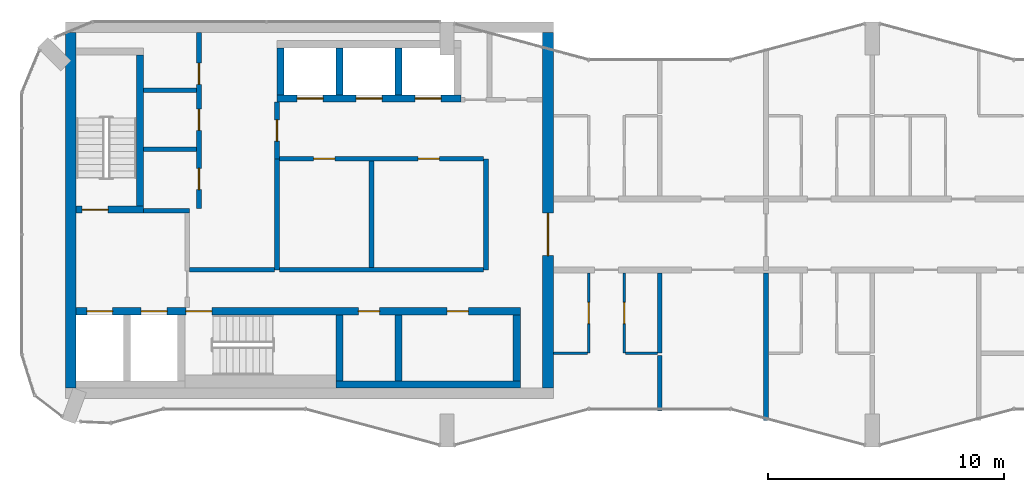
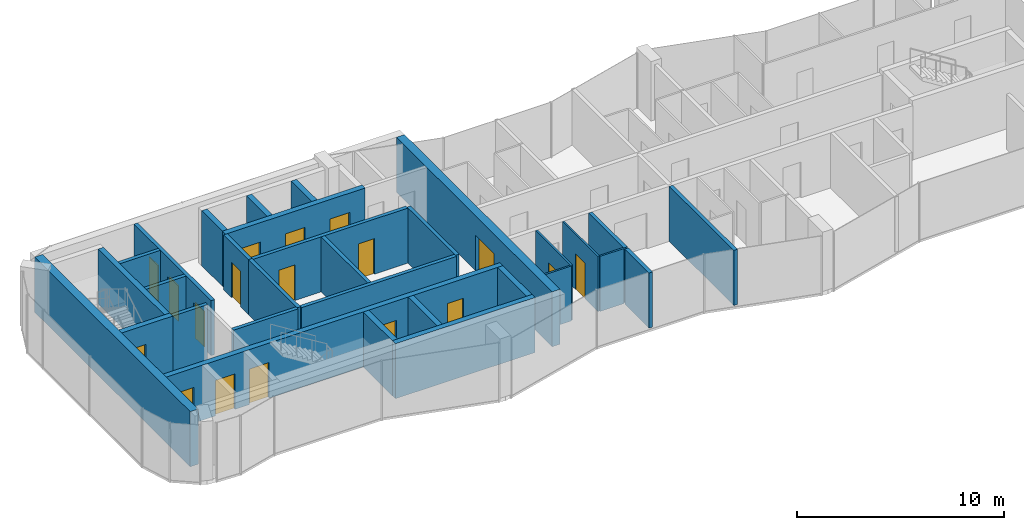
# One storey, part 7 of 10: 31 walls, 18 doors, 18 openings.
"""IFC4 building model written with IfcOpenShell, lengths in metres."""

import ifcopenshell
import ifcopenshell.guid

model = None  # the IFC model being written
_history = None  # IfcOwnerHistory: only IFC2X3 demands one
_inside = {}  # id of a spatial element -> (the spatial element, [elements in it])
_under = {}  # id of a project, library or spatial element -> (it, [spatial elements below it])
_declared = {}  # id of a project -> (the project, [libraries it declares])
_typed = {}  # id of a type object -> (the type object, [elements of that type])
_made_of = {}  # id of a material, layer set ... -> (it, [elements and type objects made of it])


def new_model(schema):
    """Start an empty IFC model of exactly this schema.

    Asked for "IFC4X3", IfcOpenShell would pick the latest addendum, in which some entities
    have other attributes; the version numbers below select the first issue.
    IFC2X3 requires an IfcOwnerHistory on every rooted entity: one is made here for all.
    """
    global model, _history
    if schema == "IFC4X3":
        model = ifcopenshell.file(schema_version=(4, 3, 0, 0))
    else:
        model = ifcopenshell.file(schema=schema)
    _inside.clear()
    _under.clear()
    _declared.clear()
    _typed.clear()
    _made_of.clear()
    _history = None
    if model.schema == "IFC2X3":
        org = make("IfcOrganization", Name="unknown")
        user = make(
            "IfcPersonAndOrganization",
            ThePerson=make("IfcPerson", FamilyName="unknown"),
            TheOrganization=org,
        )
        app = make(
            "IfcApplication",
            ApplicationDeveloper=org,
            Version="unknown",
            ApplicationFullName="unknown",
            ApplicationIdentifier="unknown",
        )
        _history = make(
            "IfcOwnerHistory",
            OwningUser=user,
            OwningApplication=app,
            ChangeAction="ADDED",
            CreationDate=0,
        )
    return model


def make(cls, **values):
    """One entity of the class cls with the attributes given. An attribute that is None is left unset."""
    return model.create_entity(
        cls, **{name: value for name, value in values.items() if value is not None}
    )


def rooted(cls, **values):
    """An entity with a GlobalId (a new one), such as an element, a storey or a relation."""
    return make(cls, GlobalId=ifcopenshell.guid.new(), OwnerHistory=_history, **values)


def si_unit(unit_type, name, prefix=None):
    """IfcSIUnit, for example si_unit("LENGTHUNIT", "METRE", prefix="MILLI")."""
    return make("IfcSIUnit", UnitType=unit_type, Prefix=prefix, Name=name)


def assignment(units):
    """IfcUnitAssignment: the units of a project."""
    return None if units is None else make("IfcUnitAssignment", Units=units)


def point(xyz):
    """IfcCartesianPoint."""
    return None if xyz is None else make("IfcCartesianPoint", Coordinates=xyz)


def direction(xyz):
    """IfcDirection."""
    return None if xyz is None else make("IfcDirection", DirectionRatios=xyz)


def frame(location, z_axis=None, x_axis=None):
    """IfcAxis2Placement3D, a coordinate frame: its origin and axes. An axis left out is left unset."""
    return make(
        "IfcAxis2Placement3D",
        Location=point(location),
        Axis=direction(z_axis),
        RefDirection=direction(x_axis),
    )


def frame_2d(location, x_axis=None):
    """IfcAxis2Placement2D, a coordinate frame in the plane: its origin and x axis."""
    return make(
        "IfcAxis2Placement2D", Location=point(location), RefDirection=direction(x_axis)
    )


def origin():
    """The frame at (0, 0, 0) with its axes left unset."""
    return frame((0.0, 0.0, 0.0))


def place(relative_to, where):
    """IfcLocalPlacement: puts the frame where relative to a parent placement (None: the world)."""
    return make(
        "IfcLocalPlacement", PlacementRelTo=relative_to, RelativePlacement=where
    )


def context(
    kind, dimensions, precision=None, world=None, true_north=None, identifier=None
):
    """IfcGeometricRepresentationContext, for example the 3D "Model" context."""
    return make(
        "IfcGeometricRepresentationContext",
        ContextIdentifier=identifier,
        ContextType=kind,
        CoordinateSpaceDimension=dimensions,
        Precision=precision,
        WorldCoordinateSystem=world,
        TrueNorth=true_north,
    )


def subcontext(parent, identifier, kind, view, scale=None):
    """IfcGeometricRepresentationSubContext, for example "Body" below "Model"."""
    return make(
        "IfcGeometricRepresentationSubContext",
        ContextIdentifier=identifier,
        ContextType=kind,
        ParentContext=parent,
        TargetScale=scale,
        TargetView=view,
    )


def project(units=None, contexts=None):
    """IfcProject with its units and contexts."""
    return rooted(
        "IfcProject",
        Name="project",
        RepresentationContexts=contexts,
        UnitsInContext=assignment(units),
    )


def spatial(cls, under=None, at=None, **own):
    """A site, building, storey or space (cls), placed at a placement, below another one or the project."""
    s = rooted(cls, ObjectPlacement=at, **own)
    if under is not None:
        _under.setdefault(under.id(), (under, []))[1].append(s)
    return s


def profile(cls, at=None, kind="AREA", **sizes):
    """A parametric profile (cls). Its sizes go by their IFC names, for example OverallWidth=200.0."""
    return make(cls, ProfileType=kind, Position=at, **sizes)


def rectangle(**sizes):
    """IfcRectangleProfileDef."""
    return profile("IfcRectangleProfileDef", **sizes)


def extrude(swept, where, along, depth):
    """IfcExtrudedAreaSolid: the profile swept, set in the frame where, extruded along a direction by depth."""
    return make(
        "IfcExtrudedAreaSolid",
        SweptArea=swept,
        Position=where,
        ExtrudedDirection=direction(along),
        Depth=depth,
    )


def shape(context_of_items, identifier, shape_type, items):
    """IfcShapeRepresentation: the items that make up one representation, for example the "Body"."""
    return make(
        "IfcShapeRepresentation",
        ContextOfItems=context_of_items,
        RepresentationIdentifier=identifier,
        RepresentationType=shape_type,
        Items=items,
    )


def material(Name=None, Category=None):
    """IfcMaterial."""
    return make("IfcMaterial", Name=Name, Category=Category)


def layer(
    of_material, thickness, ventilated=None, Name=None, Category=None, Priority=None
):
    """IfcMaterialLayer: one layer of a wall or slab, of a material (None: an air gap)."""
    return make(
        "IfcMaterialLayer",
        Material=of_material,
        LayerThickness=thickness,
        IsVentilated=ventilated,
        Name=Name,
        Category=Category,
        Priority=Priority,
    )


def layer_set(layers, Name=None):
    """IfcMaterialLayerSet."""
    return make("IfcMaterialLayerSet", MaterialLayers=layers, LayerSetName=Name)


def made_of(thing, what):
    """Note that an element or type object is made of a material, layer set ...; save() writes the relation."""
    if what is not None:
        _made_of.setdefault(what.id(), (what, []))[1].append(thing)
    return thing


def type_object(cls, material=None, **own):
    """A type object (cls), such as IfcWallType, which elements share."""
    return made_of(rooted(cls, **own), material)


def element(
    cls,
    number,
    at=None,
    inside=None,
    cuts=None,
    type_object=None,
    material=None,
    context=None,
    identifier="Body",
    shape_type=None,
    held_by="IfcProductDefinitionShape",
    body=None,
    shapes=None,
    **own,
):
    """One element of the class cls, such as IfcWall. Its Tag is "e" and its number.

    at: its placement. inside: the storey or other place that contains it. cuts: it is an
    opening in that element (IfcRelVoidsElement). A single representation is given by context,
    identifier, shape_type and body (its items); several are given by shapes. held_by: the class
    of the entity that holds the representations. save() writes the other relations.
    """
    e = rooted(cls, Tag="e%d" % number, ObjectPlacement=at, **own)
    if body is not None:
        shapes = [shape(context, identifier, shape_type, body)]
    if shapes is not None:
        e.Representation = make(held_by, Representations=shapes)
    if inside is not None:
        _inside.setdefault(inside.id(), (inside, []))[1].append(e)
    if cuts is not None:
        rooted(
            "IfcRelVoidsElement", RelatingBuildingElement=cuts, RelatedOpeningElement=e
        )
    if type_object is not None:
        _typed.setdefault(type_object.id(), (type_object, []))[1].append(e)
    return made_of(e, material)


def fill(opening, filler):
    """IfcRelFillsElement: the door or window that sits in an opening."""
    return rooted(
        "IfcRelFillsElement",
        RelatingOpeningElement=opening,
        RelatedBuildingElement=filler,
    )


def aggregate(whole, parts):
    """IfcRelAggregates: a whole, such as a stair, and the parts it consists of."""
    return rooted("IfcRelAggregates", RelatingObject=whole, RelatedObjects=parts)


def save(model, path):
    """Write the relations noted so far, then the file.

    IfcRelAggregates (storeys below a building ...), IfcRelContainedInSpatialStructure (elements
    in a storey), IfcRelDefinesByType, IfcRelAssociatesMaterial and IfcRelDeclares: one each for
    every whole, place, type object, material and project.
    """
    for whole, parts in _under.values():
        aggregate(whole, parts)
    for where, things in _inside.values():
        rooted(
            "IfcRelContainedInSpatialStructure",
            RelatedElements=things,
            RelatingStructure=where,
        )
    for kind, things in _typed.values():
        rooted("IfcRelDefinesByType", RelatedObjects=things, RelatingType=kind)
    for what, things in _made_of.values():
        rooted("IfcRelAssociatesMaterial", RelatedObjects=things, RelatingMaterial=what)
    for by, libraries in _declared.values():
        rooted("IfcRelDeclares", RelatingContext=by, RelatedDefinitions=libraries)
    model.write(path)


model = new_model("IFC4")

# Units and contexts
model_context = context("Model", 3, precision=1e-05, world=origin(), true_north=direction((0.0, 1.0)))
body_context = subcontext(model_context, "Body", "Model", "MODEL_VIEW")
ifc_project = project(units=[si_unit("LENGTHUNIT", "METRE"), si_unit("AREAUNIT", "SQUARE_METRE"), si_unit("VOLUMEUNIT", "CUBIC_METRE"), si_unit("PLANEANGLEUNIT", "RADIAN"), si_unit("MASSUNIT", "GRAM", prefix="KILO")], contexts=[model_context])

# Site, building, storey
site_placement = place(None, origin())
site = spatial("IfcSite", under=ifc_project, at=site_placement, CompositionType="ELEMENT")
building_placement = place(site_placement, origin())
building = spatial("IfcBuilding", under=site, at=building_placement, Name="Plateau Cross Towers", CompositionType="ELEMENT")
storey_placement = place(building_placement, frame((0.0, 0.0, 259.89990234375)))
storey = spatial("IfcBuildingStorey", under=building, at=storey_placement, Name="L68", CompositionType="ELEMENT", Elevation=259.89990234375)

# Walls
ifc_material_1 = material(Name="Concrete block, plastered both sides", Category="concrete")
ifc_layer_1 = layer(ifc_material_1, 0.199951171875)
ifc_layer_set_1 = layer_set([ifc_layer_1], Name="Concrete block, plastered both sides")
wall_type_1 = type_object("IfcWallType", Name="Core partition 200", PredefinedType="PARTITIONING", material=ifc_layer_set_1)
wall_1_placement = place(storey_placement, frame((5.14990234375, 10.0, 0.0), z_axis=(0.0, 0.0, 1.0), x_axis=(1.0, 0.0, 0.0)))
element("IfcWall", 1, at=wall_1_placement, inside=storey, type_object=wall_type_1, Name="Core partition", PredefinedType="PARTITIONING", context=body_context, shape_type="SweptSolid", body=[
    extrude(rectangle(XDim=1.9501953125, YDim=0.199951171875, at=frame_2d((0.97509765625, 0.0))), origin(), (0.0, 0.0, 1.0), 3.25),
])
wall_2_placement = place(storey_placement, frame((7.10009765625, 7.5, 0.0), z_axis=(0.0, 0.0, 1.0), x_axis=(1.0, 0.0, 0.0)))
element("IfcWall", 2, at=wall_2_placement, inside=storey, type_object=wall_type_1, Name="Core partition", PredefinedType="PARTITIONING", context=body_context, shape_type="SweptSolid", body=[
    extrude(rectangle(XDim=3.599853515625, YDim=0.199951171875, at=frame_2d((1.7998046875, 0.0))), origin(), (0.0, 0.0, 1.0), 3.25),
])

# Wall, opening, door
wall_3_placement = place(storey_placement, frame((10.800048828125, 12.199951171875, 0.0), z_axis=(0.0, 0.0, 1.0), x_axis=(0.0, 1.0, 0.0)))
wall_3 = element("IfcWall", 3, at=wall_3_placement, inside=storey, type_object=wall_type_1, Name="Core partition", PredefinedType="PARTITIONING", context=body_context, shape_type="SweptSolid", body=[
    extrude(rectangle(XDim=2.400146484375, YDim=0.199951171875, at=frame_2d((1.2001953125, 0.0))), origin(), (0.0, 0.0, 1.0), 3.25),
])
opening_1_placement = place(wall_3_placement, frame((0.75, 0.0, 0.0)))
opening_1 = element("IfcOpeningElement", 4, at=opening_1_placement, cuts=wall_3, Name="Opening RD1", PredefinedType="OPENING", context=body_context, shape_type="SweptSolid", body=[
    extrude(rectangle(XDim=0.89990234375, YDim=2.10009765625, at=frame_2d((0.449951171875, 1.050048828125))), frame((0.0, 0.10986328125, 0.0), z_axis=(0.0, -1.0, 0.0), x_axis=(1.0, 0.0, 0.0)), (0.0, 0.0, 1.0), 0.219970703125),
])
ifc_material_2 = material(Name="Timber, fire-resisting leaf", Category="wood")
door_type_1 = type_object("IfcDoorType", Name="Core service door 900", OperationType="NOTDEFINED", PredefinedType="DOOR", material=ifc_material_2)
door_1_placement = place(opening_1_placement, origin())
door_1 = element("IfcDoor", 5, at=door_1_placement, inside=storey, type_object=door_type_1, Name="Core service door RD1", OperationType="SINGLE_SWING_LEFT", OverallHeight=2.10009765625, OverallWidth=0.89990234375, PredefinedType="DOOR", context=body_context, shape_type="SweptSolid", body=[
    extrude(rectangle(XDim=0.89990234375, YDim=2.10009765625, at=frame_2d((0.449951171875, 1.050048828125))), frame((0.0, 0.02490234375, 0.0), z_axis=(0.0, -1.0, 0.0), x_axis=(1.0, 0.0, 0.0)), (0.0, 0.0, 1.0), 0.050048828125),
])
fill(opening_1, door_1)

# Walls
wall_4_placement = place(storey_placement, frame((10.800048828125, 7.5, 0.0), z_axis=(0.0, 0.0, 1.0), x_axis=(0.0, 1.0, 0.0)))
element("IfcWall", 6, at=wall_4_placement, inside=storey, type_object=wall_type_1, Name="Core partition", PredefinedType="PARTITIONING", context=body_context, shape_type="SweptSolid", body=[
    extrude(rectangle(XDim=4.699951171875, YDim=0.199951171875, at=frame_2d((2.35009765625, 0.0))), origin(), (0.0, 0.0, 1.0), 3.25),
])
wall_5_placement = place(storey_placement, frame((10.89990234375, 7.5, 0.0), z_axis=(0.0, 0.0, 1.0), x_axis=(1.0, 0.0, 0.0)))
element("IfcWall", 7, at=wall_5_placement, inside=storey, type_object=wall_type_1, Name="Core partition", PredefinedType="PARTITIONING", context=body_context, shape_type="SweptSolid", body=[
    extrude(rectangle(XDim=8.650146484375, YDim=0.199951171875, at=frame_2d((4.3251953125, 0.0))), origin(), (0.0, 0.0, 1.0), 3.25),
])
wall_6_placement = place(storey_placement, frame((19.64990234375, 7.5, 0.0), z_axis=(0.0, 0.0, 1.0), x_axis=(0.0, 1.0, 0.0)))
element("IfcWall", 8, at=wall_6_placement, inside=storey, type_object=wall_type_1, Name="Core partition", PredefinedType="PARTITIONING", context=body_context, shape_type="SweptSolid", body=[
    extrude(rectangle(XDim=4.699951171875, YDim=0.199951171875, at=frame_2d((2.35009765625, 0.0))), origin(), (0.0, 0.0, 1.0), 3.25),
])

# Wall, openings, doors
wall_7_placement = place(storey_placement, frame((10.89990234375, 12.199951171875, 0.0), z_axis=(0.0, 0.0, 1.0), x_axis=(1.0, 0.0, 0.0)))
wall_7 = element("IfcWall", 9, at=wall_7_placement, inside=storey, type_object=wall_type_1, Name="Core partition", PredefinedType="PARTITIONING", context=body_context, shape_type="SweptSolid", body=[
    extrude(rectangle(XDim=8.650146484375, YDim=0.199951171875, at=frame_2d((4.3251953125, 0.0))), origin(), (0.0, 0.0, 1.0), 3.25),
])
opening_2_placement = place(wall_7_placement, frame((1.449951171875, 0.0, 0.0)))
opening_2 = element("IfcOpeningElement", 10, at=opening_2_placement, cuts=wall_7, Name="Opening RD1", PredefinedType="OPENING", context=body_context, shape_type="SweptSolid", body=[
    extrude(rectangle(XDim=0.89990234375, YDim=2.10009765625, at=frame_2d((0.449951171875, 1.050048828125))), frame((0.0, 0.10986328125, 0.0), z_axis=(0.0, -1.0, 0.0), x_axis=(1.0, 0.0, 0.0)), (0.0, 0.0, 1.0), 0.219970703125),
])
opening_3_placement = place(wall_7_placement, frame((5.875, 0.0, 0.0)))
opening_3 = element("IfcOpeningElement", 11, at=opening_3_placement, cuts=wall_7, Name="Opening RD1", PredefinedType="OPENING", context=body_context, shape_type="SweptSolid", body=[
    extrude(rectangle(XDim=0.89990234375, YDim=2.10009765625, at=frame_2d((0.449951171875, 1.050048828125))), frame((0.0, 0.10986328125, 0.0), z_axis=(0.0, -1.0, 0.0), x_axis=(1.0, 0.0, 0.0)), (0.0, 0.0, 1.0), 0.219970703125),
])
door_2_placement = place(opening_2_placement, origin())
door_2 = element("IfcDoor", 12, at=door_2_placement, inside=storey, type_object=door_type_1, Name="Core service door RD1", OperationType="SINGLE_SWING_LEFT", OverallHeight=2.10009765625, OverallWidth=0.89990234375, PredefinedType="DOOR", context=body_context, shape_type="SweptSolid", body=[
    extrude(rectangle(XDim=0.89990234375, YDim=2.10009765625, at=frame_2d((0.449951171875, 1.050048828125))), frame((0.0, 0.02490234375, 0.0), z_axis=(0.0, -1.0, 0.0), x_axis=(1.0, 0.0, 0.0)), (0.0, 0.0, 1.0), 0.050048828125),
])
fill(opening_2, door_2)
door_3_placement = place(opening_3_placement, origin())
door_3 = element("IfcDoor", 13, at=door_3_placement, inside=storey, type_object=door_type_1, Name="Core service door RD1", OperationType="SINGLE_SWING_LEFT", OverallHeight=2.10009765625, OverallWidth=0.89990234375, PredefinedType="DOOR", context=body_context, shape_type="SweptSolid", body=[
    extrude(rectangle(XDim=0.89990234375, YDim=2.10009765625, at=frame_2d((0.449951171875, 1.050048828125))), frame((0.0, 0.02490234375, 0.0), z_axis=(0.0, -1.0, 0.0), x_axis=(1.0, 0.0, 0.0)), (0.0, 0.0, 1.0), 0.050048828125),
])
fill(opening_3, door_3)

# Wall
wall_8_placement = place(storey_placement, frame((14.800048828125, 7.60009765625, 0.0), z_axis=(0.0, 0.0, 1.0), x_axis=(0.0, 1.0, 0.0)))
element("IfcWall", 14, at=wall_8_placement, inside=storey, type_object=wall_type_1, Name="Core partition", PredefinedType="PARTITIONING", context=body_context, shape_type="SweptSolid", body=[
    extrude(rectangle(XDim=4.5, YDim=0.199951171875, at=frame_2d((2.25, 0.0))), origin(), (0.0, 0.0, 1.0), 3.25),
])

# Wall, openings, doors
wall_9_placement = place(storey_placement, frame((7.5, 10.10009765625, 0.0), z_axis=(0.0, 0.0, 1.0), x_axis=(0.0, 1.0, 0.0)))
wall_9 = element("IfcWall", 15, at=wall_9_placement, inside=storey, type_object=wall_type_1, Name="Core partition", PredefinedType="PARTITIONING", context=body_context, shape_type="SweptSolid", body=[
    extrude(rectangle(XDim=7.449951171875, YDim=0.199951171875, at=frame_2d((3.72509765625, 0.0))), origin(), (0.0, 0.0, 1.0), 3.25),
])
opening_4_placement = place(wall_9_placement, frame((0.800048828125, 0.0, 0.0)))
opening_4 = element("IfcOpeningElement", 16, at=opening_4_placement, cuts=wall_9, Name="Opening RD1", PredefinedType="OPENING", context=body_context, shape_type="SweptSolid", body=[
    extrude(rectangle(XDim=0.89990234375, YDim=2.10009765625, at=frame_2d((0.449951171875, 1.050048828125))), frame((0.0, 0.10986328125, 0.0), z_axis=(0.0, -1.0, 0.0), x_axis=(1.0, 0.0, 0.0)), (0.0, 0.0, 1.0), 0.219970703125),
])
opening_5_placement = place(wall_9_placement, frame((3.300048828125, 0.0, 0.0)))
opening_5 = element("IfcOpeningElement", 17, at=opening_5_placement, cuts=wall_9, Name="Opening RD1", PredefinedType="OPENING", context=body_context, shape_type="SweptSolid", body=[
    extrude(rectangle(XDim=0.89990234375, YDim=2.10009765625, at=frame_2d((0.449951171875, 1.050048828125))), frame((0.0, 0.10986328125, 0.0), z_axis=(0.0, -1.0, 0.0), x_axis=(1.0, 0.0, 0.0)), (0.0, 0.0, 1.0), 0.219970703125),
])
opening_6_placement = place(wall_9_placement, frame((5.25, 0.0, 0.0)))
opening_6 = element("IfcOpeningElement", 18, at=opening_6_placement, cuts=wall_9, Name="Opening RD1", PredefinedType="OPENING", context=body_context, shape_type="SweptSolid", body=[
    extrude(rectangle(XDim=0.89990234375, YDim=2.10009765625, at=frame_2d((0.449951171875, 1.050048828125))), frame((0.0, 0.10986328125, 0.0), z_axis=(0.0, -1.0, 0.0), x_axis=(1.0, 0.0, 0.0)), (0.0, 0.0, 1.0), 0.219970703125),
])
door_4_placement = place(opening_4_placement, origin())
door_4 = element("IfcDoor", 19, at=door_4_placement, inside=storey, type_object=door_type_1, Name="Core service door RD1", OperationType="SINGLE_SWING_RIGHT", OverallHeight=2.10009765625, OverallWidth=0.89990234375, PredefinedType="DOOR", context=body_context, shape_type="SweptSolid", body=[
    extrude(rectangle(XDim=0.89990234375, YDim=2.10009765625, at=frame_2d((0.449951171875, 1.050048828125))), frame((0.0, 0.02490234375, 0.0), z_axis=(0.0, -1.0, 0.0), x_axis=(1.0, 0.0, 0.0)), (0.0, 0.0, 1.0), 0.050048828125),
])
fill(opening_4, door_4)
door_5_placement = place(opening_5_placement, origin())
door_5 = element("IfcDoor", 20, at=door_5_placement, inside=storey, type_object=door_type_1, Name="Core service door RD1", OperationType="SINGLE_SWING_RIGHT", OverallHeight=2.10009765625, OverallWidth=0.89990234375, PredefinedType="DOOR", context=body_context, shape_type="SweptSolid", body=[
    extrude(rectangle(XDim=0.89990234375, YDim=2.10009765625, at=frame_2d((0.449951171875, 1.050048828125))), frame((0.0, 0.02490234375, 0.0), z_axis=(0.0, -1.0, 0.0), x_axis=(1.0, 0.0, 0.0)), (0.0, 0.0, 1.0), 0.050048828125),
])
fill(opening_5, door_5)
door_6_placement = place(opening_6_placement, origin())
door_6 = element("IfcDoor", 21, at=door_6_placement, inside=storey, type_object=door_type_1, Name="Core service door RD1", OperationType="SINGLE_SWING_RIGHT", OverallHeight=2.10009765625, OverallWidth=0.89990234375, PredefinedType="DOOR", context=body_context, shape_type="SweptSolid", body=[
    extrude(rectangle(XDim=0.89990234375, YDim=2.10009765625, at=frame_2d((0.449951171875, 1.050048828125))), frame((0.0, 0.02490234375, 0.0), z_axis=(0.0, -1.0, 0.0), x_axis=(1.0, 0.0, 0.0)), (0.0, 0.0, 1.0), 0.050048828125),
])
fill(opening_6, door_6)

# Walls
for number, where, z_axis, x_axis, name in (
    (22, (5.14990234375, 12.60009765625, 0.0), (0.0, 0.0, 1.0), (1.0, 0.0, 0.0), "Core partition"),
    (23, (5.14990234375, 15.10009765625, 0.0), (0.0, 0.0, 1.0), (1.0, 0.0, 0.0), "Core partition"),
):
    element("IfcWall", number, at=place(storey_placement, frame(where, z_axis=z_axis, x_axis=x_axis)), inside=storey, type_object=wall_type_1, Name=name, PredefinedType="PARTITIONING", context=body_context, shape_type="SweptSolid", body=[
        extrude(rectangle(XDim=2.25, YDim=0.199951171875, at=frame_2d((1.125, 0.0))), origin(), (0.0, 0.0, 1.0), 3.25),
    ])
ifc_material_3 = material(Name="Concrete C60/75", Category="concrete")
ifc_layer_2 = layer(ifc_material_3, 0.300048828125)
ifc_layer_set_2 = layer_set([ifc_layer_2], Name="Concrete C60/75")
wall_type_2 = type_object("IfcWallType", Name="Core shaft wall 300", PredefinedType="SHEAR", material=ifc_layer_set_2)
wall_10_placement = place(storey_placement, frame((13.300048828125, 2.64990234375, 0.0), z_axis=(0.0, 0.0, 1.0), x_axis=(1.0, 0.0, 0.0)))
element("IfcWall", 24, at=wall_10_placement, inside=storey, type_object=wall_type_2, Name="A-sb-back3@L68", PredefinedType="SHEAR", context=body_context, shape_type="SweptSolid", body=[
    extrude(rectangle(XDim=7.800048828125, YDim=0.300048828125, at=frame_2d((3.89990234375, 0.0))), origin(), (0.0, 0.0, 1.0), 3.25),
])
for number, where, z_axis, x_axis, name in (
    (25, (13.449951171875, 2.800048828125, 0.0), (0.0, 0.0, 1.0), (0.0, 1.0, 0.0), "A-sb-v3@L68"),
    (26, (15.949951171875, 2.800048828125, 0.0), (0.0, 0.0, 1.0), (0.0, 1.0, 0.0), "A-sb-v4@L68"),
    (27, (20.949951171875, 2.800048828125, 0.0), (0.0, 0.0, 1.0), (0.0, 1.0, 0.0), "A-sb-v6@L68"),
):
    element("IfcWall", number, at=place(storey_placement, frame(where, z_axis=z_axis, x_axis=x_axis)), inside=storey, type_object=wall_type_2, Name=name, PredefinedType="SHEAR", context=body_context, shape_type="SweptSolid", body=[
        extrude(rectangle(XDim=2.800048828125, YDim=0.300048828125, at=frame_2d((1.39990234375, 0.0))), origin(), (0.0, 0.0, 1.0), 3.25),
    ])

# Wall, openings, doors
wall_11_placement = place(storey_placement, frame((2.300048828125, 5.75, 0.0), z_axis=(0.0, 0.0, 1.0), x_axis=(1.0, 0.0, 0.0)))
wall_11 = element("IfcWall", 28, at=wall_11_placement, inside=storey, type_object=wall_type_2, Name="A-sb-front@L68", PredefinedType="SHEAR", context=body_context, shape_type="SweptSolid", body=[
    extrude(rectangle(XDim=18.800048828125, YDim=0.300048828125, at=frame_2d((9.39990234375, 0.0))), origin(), (0.0, 0.0, 1.0), 3.25),
])
opening_7_placement = place(wall_11_placement, frame((4.64990234375, 0.0, 0.0)))
opening_7 = element("IfcOpeningElement", 29, at=opening_7_placement, cuts=wall_11, Name="Opening SD", PredefinedType="OPENING", context=body_context, shape_type="SweptSolid", body=[
    extrude(rectangle(XDim=1.10009765625, YDim=2.10009765625, at=frame_2d((0.550048828125, 1.050048828125))), frame((0.0, 0.159912109375, 0.0), z_axis=(0.0, -1.0, 0.0), x_axis=(1.0, 0.0, 0.0)), (0.0, 0.0, 1.0), 0.320068359375),
])
opening_8_placement = place(wall_11_placement, frame((0.449951171875, 0.0, 0.0)))
opening_8 = element("IfcOpeningElement", 30, at=opening_8_placement, cuts=wall_11, Name="Opening LD", PredefinedType="OPENING", context=body_context, shape_type="SweptSolid", body=[
    extrude(rectangle(XDim=1.10009765625, YDim=2.10009765625, at=frame_2d((0.550048828125, 1.050048828125))), frame((0.0, 0.159912109375, 0.0), z_axis=(0.0, -1.0, 0.0), x_axis=(1.0, 0.0, 0.0)), (0.0, 0.0, 1.0), 0.320068359375),
])
opening_9_placement = place(wall_11_placement, frame((2.75, 0.0, 0.0)))
opening_9 = element("IfcOpeningElement", 31, at=opening_9_placement, cuts=wall_11, Name="Opening LD", PredefinedType="OPENING", context=body_context, shape_type="SweptSolid", body=[
    extrude(rectangle(XDim=1.10009765625, YDim=2.10009765625, at=frame_2d((0.550048828125, 1.050048828125))), frame((0.0, 0.159912109375, 0.0), z_axis=(0.0, -1.0, 0.0), x_axis=(1.0, 0.0, 0.0)), (0.0, 0.0, 1.0), 0.320068359375),
])
opening_10_placement = place(wall_11_placement, frame((11.949951171875, 0.0, 0.0)))
opening_10 = element("IfcOpeningElement", 32, at=opening_10_placement, cuts=wall_11, Name="Opening RD2", PredefinedType="OPENING", context=body_context, shape_type="SweptSolid", body=[
    extrude(rectangle(XDim=0.89990234375, YDim=2.10009765625, at=frame_2d((0.449951171875, 1.050048828125))), frame((0.0, 0.159912109375, 0.0), z_axis=(0.0, -1.0, 0.0), x_axis=(1.0, 0.0, 0.0)), (0.0, 0.0, 1.0), 0.320068359375),
])
opening_11_placement = place(wall_11_placement, frame((15.699951171875, 0.0, 0.0)))
opening_11 = element("IfcOpeningElement", 33, at=opening_11_placement, cuts=wall_11, Name="Opening RD2", PredefinedType="OPENING", context=body_context, shape_type="SweptSolid", body=[
    extrude(rectangle(XDim=0.89990234375, YDim=2.10009765625, at=frame_2d((0.449951171875, 1.050048828125))), frame((0.0, 0.159912109375, 0.0), z_axis=(0.0, -1.0, 0.0), x_axis=(1.0, 0.0, 0.0)), (0.0, 0.0, 1.0), 0.320068359375),
])
ifc_material_4 = material(Name="Steel, fire-resisting leaf", Category="steel")
door_type_2 = type_object("IfcDoorType", Name="Core riser door 900", OperationType="NOTDEFINED", PredefinedType="DOOR", material=ifc_material_4)
door_7_placement = place(opening_10_placement, origin())
door_7 = element("IfcDoor", 34, at=door_7_placement, inside=storey, type_object=door_type_2, Name="Core riser door RD2", OperationType="SINGLE_SWING_LEFT", OverallHeight=2.10009765625, OverallWidth=0.89990234375, PredefinedType="DOOR", context=body_context, shape_type="SweptSolid", body=[
    extrude(rectangle(XDim=0.89990234375, YDim=2.10009765625, at=frame_2d((0.449951171875, 1.050048828125))), frame((0.0, 0.02490234375, 0.0), z_axis=(0.0, -1.0, 0.0), x_axis=(1.0, 0.0, 0.0)), (0.0, 0.0, 1.0), 0.050048828125),
])
fill(opening_10, door_7)
door_8_placement = place(opening_11_placement, origin())
door_8 = element("IfcDoor", 35, at=door_8_placement, inside=storey, type_object=door_type_2, Name="Core riser door RD2", OperationType="SINGLE_SWING_LEFT", OverallHeight=2.10009765625, OverallWidth=0.89990234375, PredefinedType="DOOR", context=body_context, shape_type="SweptSolid", body=[
    extrude(rectangle(XDim=0.89990234375, YDim=2.10009765625, at=frame_2d((0.449951171875, 1.050048828125))), frame((0.0, 0.02490234375, 0.0), z_axis=(0.0, -1.0, 0.0), x_axis=(1.0, 0.0, 0.0)), (0.0, 0.0, 1.0), 0.050048828125),
])
fill(opening_11, door_8)
ifc_material_5 = material(Name="Stainless steel, fire-resisting sliding leaves", Category="steel")
door_type_3 = type_object("IfcDoorType", Name="Lift landing door 1100", OperationType="NOTDEFINED", PredefinedType="DOOR", material=ifc_material_5)
door_9_placement = place(opening_8_placement, origin())
door_9 = element("IfcDoor", 36, at=door_9_placement, inside=storey, type_object=door_type_3, Name="Lift landing door LD", OperationType="DOUBLE_DOOR_SLIDING", OverallHeight=2.10009765625, OverallWidth=1.10009765625, PredefinedType="DOOR", context=body_context, shape_type="SweptSolid", body=[
    extrude(rectangle(XDim=1.10009765625, YDim=2.10009765625, at=frame_2d((0.550048828125, 1.050048828125))), frame((0.0, 0.02490234375, 0.0), z_axis=(0.0, -1.0, 0.0), x_axis=(1.0, 0.0, 0.0)), (0.0, 0.0, 1.0), 0.050048828125),
])
fill(opening_8, door_9)
door_10_placement = place(opening_9_placement, origin())
door_10 = element("IfcDoor", 37, at=door_10_placement, inside=storey, type_object=door_type_3, Name="Lift landing door LD", OperationType="DOUBLE_DOOR_SLIDING", OverallHeight=2.10009765625, OverallWidth=1.10009765625, PredefinedType="DOOR", context=body_context, shape_type="SweptSolid", body=[
    extrude(rectangle(XDim=1.10009765625, YDim=2.10009765625, at=frame_2d((0.550048828125, 1.050048828125))), frame((0.0, 0.02490234375, 0.0), z_axis=(0.0, -1.0, 0.0), x_axis=(1.0, 0.0, 0.0)), (0.0, 0.0, 1.0), 0.050048828125),
])
fill(opening_9, door_10)
door_type_4 = type_object("IfcDoorType", Name="Stair door 1100", OperationType="NOTDEFINED", PredefinedType="DOOR", material=ifc_material_4)
door_11_placement = place(opening_7_placement, origin())
door_11 = element("IfcDoor", 38, at=door_11_placement, inside=storey, type_object=door_type_4, Name="Stair door SD", OperationType="SINGLE_SWING_LEFT", OverallHeight=2.10009765625, OverallWidth=1.10009765625, PredefinedType="DOOR", context=body_context, shape_type="SweptSolid", body=[
    extrude(rectangle(XDim=1.10009765625, YDim=2.10009765625, at=frame_2d((0.550048828125, 1.050048828125))), frame((0.0, 0.02490234375, 0.0), z_axis=(0.0, -1.0, 0.0), x_axis=(1.0, 0.0, 0.0)), (0.0, 0.0, 1.0), 0.050048828125),
])
fill(opening_7, door_11)

# Wall, opening, door
wall_12_placement = place(storey_placement, frame((2.300048828125, 10.050048828125, 0.0), z_axis=(0.0, 0.0, 1.0), x_axis=(1.0, 0.0, 0.0)))
wall_12 = element("IfcWall", 39, at=wall_12_placement, inside=storey, type_object=wall_type_2, Name="A-st1-S@L68", PredefinedType="SHEAR", context=body_context, shape_type="SweptSolid", body=[
    extrude(rectangle(XDim=2.849853515625, YDim=0.300048828125, at=frame_2d((1.4248046875, 0.0))), origin(), (0.0, 0.0, 1.0), 3.25),
])
opening_12_placement = place(wall_12_placement, frame((0.25, 0.0, 0.0)))
opening_12 = element("IfcOpeningElement", 40, at=opening_12_placement, cuts=wall_12, Name="Opening SD", PredefinedType="OPENING", context=body_context, shape_type="SweptSolid", body=[
    extrude(rectangle(XDim=1.10009765625, YDim=2.10009765625, at=frame_2d((0.550048828125, 1.050048828125))), frame((0.0, 0.159912109375, 0.0), z_axis=(0.0, -1.0, 0.0), x_axis=(1.0, 0.0, 0.0)), (0.0, 0.0, 1.0), 0.320068359375),
])
door_12_placement = place(opening_12_placement, origin())
door_12 = element("IfcDoor", 41, at=door_12_placement, inside=storey, type_object=door_type_4, Name="Stair door SD", OperationType="SINGLE_SWING_RIGHT", OverallHeight=2.10009765625, OverallWidth=1.10009765625, PredefinedType="DOOR", context=body_context, shape_type="SweptSolid", body=[
    extrude(rectangle(XDim=1.10009765625, YDim=2.10009765625, at=frame_2d((0.550048828125, 1.050048828125))), frame((0.0, 0.02490234375, 0.0), z_axis=(0.0, -1.0, 0.0), x_axis=(1.0, 0.0, 0.0)), (0.0, 0.0, 1.0), 0.050048828125),
])
fill(opening_12, door_12)

# Wall
wall_13_placement = place(storey_placement, frame((5.0, 10.199951171875, 0.0), z_axis=(0.0, 0.0, 1.0), x_axis=(0.0, 1.0, 0.0)))
element("IfcWall", 42, at=wall_13_placement, inside=storey, type_object=wall_type_2, Name="A-st1-E@L68", PredefinedType="SHEAR", context=body_context, shape_type="SweptSolid", body=[
    extrude(rectangle(XDim=6.400146484375, YDim=0.300048828125, at=frame_2d((3.2001953125, 0.0))), origin(), (0.0, 0.0, 1.0), 3.25),
])

# Wall, openings, doors
wall_14_placement = place(storey_placement, frame((10.800048828125, 14.75, 0.0), z_axis=(0.0, 0.0, 1.0), x_axis=(1.0, 0.0, 0.0)))
wall_14 = element("IfcWall", 43, at=wall_14_placement, inside=storey, type_object=wall_type_2, Name="A-nb-front@L68", PredefinedType="SHEAR", context=body_context, shape_type="SweptSolid", body=[
    extrude(rectangle(XDim=7.800048828125, YDim=0.300048828125, at=frame_2d((3.89990234375, 0.0))), origin(), (0.0, 0.0, 1.0), 3.25),
])
opening_13_placement = place(wall_14_placement, frame((0.85009765625, 0.0, 0.0)))
opening_13 = element("IfcOpeningElement", 44, at=opening_13_placement, cuts=wall_14, Name="Opening LD", PredefinedType="OPENING", context=body_context, shape_type="SweptSolid", body=[
    extrude(rectangle(XDim=1.10009765625, YDim=2.10009765625, at=frame_2d((0.550048828125, 1.050048828125))), frame((0.0, 0.159912109375, 0.0), z_axis=(0.0, -1.0, 0.0), x_axis=(1.0, 0.0, 0.0)), (0.0, 0.0, 1.0), 0.320068359375),
])
opening_14_placement = place(wall_14_placement, frame((3.35009765625, 0.0, 0.0)))
opening_14 = element("IfcOpeningElement", 45, at=opening_14_placement, cuts=wall_14, Name="Opening LD", PredefinedType="OPENING", context=body_context, shape_type="SweptSolid", body=[
    extrude(rectangle(XDim=1.10009765625, YDim=2.10009765625, at=frame_2d((0.550048828125, 1.050048828125))), frame((0.0, 0.159912109375, 0.0), z_axis=(0.0, -1.0, 0.0), x_axis=(1.0, 0.0, 0.0)), (0.0, 0.0, 1.0), 0.320068359375),
])
opening_15_placement = place(wall_14_placement, frame((5.85009765625, 0.0, 0.0)))
opening_15 = element("IfcOpeningElement", 46, at=opening_15_placement, cuts=wall_14, Name="Opening LD", PredefinedType="OPENING", context=body_context, shape_type="SweptSolid", body=[
    extrude(rectangle(XDim=1.10009765625, YDim=2.10009765625, at=frame_2d((0.550048828125, 1.050048828125))), frame((0.0, 0.159912109375, 0.0), z_axis=(0.0, -1.0, 0.0), x_axis=(1.0, 0.0, 0.0)), (0.0, 0.0, 1.0), 0.320068359375),
])
door_13_placement = place(opening_13_placement, origin())
door_13 = element("IfcDoor", 47, at=door_13_placement, inside=storey, type_object=door_type_3, Name="Lift landing door LD", OperationType="DOUBLE_DOOR_SLIDING", OverallHeight=2.10009765625, OverallWidth=1.10009765625, PredefinedType="DOOR", context=body_context, shape_type="SweptSolid", body=[
    extrude(rectangle(XDim=1.10009765625, YDim=2.10009765625, at=frame_2d((0.550048828125, 1.050048828125))), frame((0.0, 0.02490234375, 0.0), z_axis=(0.0, -1.0, 0.0), x_axis=(1.0, 0.0, 0.0)), (0.0, 0.0, 1.0), 0.050048828125),
])
fill(opening_13, door_13)
door_14_placement = place(opening_14_placement, origin())
door_14 = element("IfcDoor", 48, at=door_14_placement, inside=storey, type_object=door_type_3, Name="Lift landing door LD", OperationType="DOUBLE_DOOR_SLIDING", OverallHeight=2.10009765625, OverallWidth=1.10009765625, PredefinedType="DOOR", context=body_context, shape_type="SweptSolid", body=[
    extrude(rectangle(XDim=1.10009765625, YDim=2.10009765625, at=frame_2d((0.550048828125, 1.050048828125))), frame((0.0, 0.02490234375, 0.0), z_axis=(0.0, -1.0, 0.0), x_axis=(1.0, 0.0, 0.0)), (0.0, 0.0, 1.0), 0.050048828125),
])
fill(opening_14, door_14)
door_15_placement = place(opening_15_placement, origin())
door_15 = element("IfcDoor", 49, at=door_15_placement, inside=storey, type_object=door_type_3, Name="Lift landing door LD", OperationType="DOUBLE_DOOR_SLIDING", OverallHeight=2.10009765625, OverallWidth=1.10009765625, PredefinedType="DOOR", context=body_context, shape_type="SweptSolid", body=[
    extrude(rectangle(XDim=1.10009765625, YDim=2.10009765625, at=frame_2d((0.550048828125, 1.050048828125))), frame((0.0, 0.02490234375, 0.0), z_axis=(0.0, -1.0, 0.0), x_axis=(1.0, 0.0, 0.0)), (0.0, 0.0, 1.0), 0.050048828125),
])
fill(opening_15, door_15)

# Walls
for number, where, z_axis, x_axis, name in (
    (50, (10.949951171875, 14.89990234375, 0.0), (0.0, 0.0, 1.0), (0.0, 1.0, 0.0), "A-nb-v1@L68"),
    (51, (13.449951171875, 14.89990234375, 0.0), (0.0, 0.0, 1.0), (0.0, 1.0, 0.0), "A-nb-v2@L68"),
    (52, (15.949951171875, 14.89990234375, 0.0), (0.0, 0.0, 1.0), (0.0, 1.0, 0.0), "A-nb-v3@L68"),
):
    element("IfcWall", number, at=place(storey_placement, frame(where, z_axis=z_axis, x_axis=x_axis)), inside=storey, type_object=wall_type_2, Name=name, PredefinedType="SHEAR", context=body_context, shape_type="SweptSolid", body=[
        extrude(rectangle(XDim=2.0, YDim=0.300048828125, at=frame_2d((1.0, 0.0))), origin(), (0.0, 0.0, 1.0), 3.25),
    ])
ifc_layer_3 = layer(ifc_material_3, 0.449951171875)
ifc_layer_set_3 = layer_set([ifc_layer_3], Name="Concrete C60/75")
wall_type_3 = type_object("IfcWallType", Name="Core shell wall 450", PredefinedType="SHEAR", material=ifc_layer_set_3)
wall_15_placement = place(storey_placement, frame((2.074951171875, 2.5, 0.0), z_axis=(0.0, 0.0, 1.0), x_axis=(0.0, 1.0, 0.0)))
element("IfcWall", 53, at=wall_15_placement, inside=storey, type_object=wall_type_3, Name="A-core-W@L68", PredefinedType="SHEAR", context=body_context, shape_type="SweptSolid", body=[
    extrude(rectangle(XDim=15.050048828125, YDim=0.449951171875, at=frame_2d((7.52490234375, 0.0))), origin(), (0.0, 0.0, 1.0), 3.25),
])

# Wall, opening, door
wall_16_placement = place(storey_placement, frame((22.27490234375, 2.5, 0.0), z_axis=(0.0, 0.0, 1.0), x_axis=(0.0, 1.0, 0.0)))
wall_16 = element("IfcWall", 54, at=wall_16_placement, inside=storey, type_object=wall_type_3, Name="A-core-E@L68", PredefinedType="SHEAR", context=body_context, shape_type="SweptSolid", body=[
    extrude(rectangle(XDim=15.050048828125, YDim=0.449951171875, at=frame_2d((7.52490234375, 0.0))), origin(), (0.0, 0.0, 1.0), 3.25),
])
opening_16_placement = place(wall_16_placement, frame((5.60009765625, 0.0, 0.0)))
opening_16 = element("IfcOpeningElement", 55, at=opening_16_placement, cuts=wall_16, Name="Opening CD", PredefinedType="OPENING", context=body_context, shape_type="SweptSolid", body=[
    extrude(rectangle(XDim=1.800048828125, YDim=2.10009765625, at=frame_2d((0.89990234375, 1.050048828125))), frame((0.0, 0.23486328125, 0.0), z_axis=(0.0, -1.0, 0.0), x_axis=(1.0, 0.0, 0.0)), (0.0, 0.0, 1.0), 0.469970703125),
])
ifc_material_6 = material(Name="Steel, fire-resisting leaves", Category="steel")
door_type_5 = type_object("IfcDoorType", Name="Corridor door pair 1800", OperationType="NOTDEFINED", PredefinedType="DOOR", material=ifc_material_6)
door_16_placement = place(opening_16_placement, origin())
door_16 = element("IfcDoor", 56, at=door_16_placement, inside=storey, type_object=door_type_5, Name="Corridor door pair CD", OperationType="DOUBLE_DOOR_SINGLE_SWING", OverallHeight=2.10009765625, OverallWidth=1.800048828125, PredefinedType="DOOR", context=body_context, shape_type="SweptSolid", body=[
    extrude(rectangle(XDim=1.800048828125, YDim=2.10009765625, at=frame_2d((0.89990234375, 1.050048828125))), frame((0.0, 0.02490234375, 0.0), z_axis=(0.0, -1.0, 0.0), x_axis=(1.0, 0.0, 0.0)), (0.0, 0.0, 1.0), 0.050048828125),
])
fill(opening_16, door_16)

# Walls
ifc_material_7 = material(Name="Gypsum board on steel studs", Category="steel")
ifc_layer_4 = layer(ifc_material_7, 0.10009765625)
ifc_layer_set_4 = layer_set([ifc_layer_4], Name="Gypsum board on steel studs")
wall_type_4 = type_object("IfcWallType", Name="Flat partition 100", PredefinedType="PARTITIONING", material=ifc_layer_set_4)
wall_17_placement = place(storey_placement, frame((22.5, 3.97509765625, 0.0), z_axis=(0.0, 0.0, 1.0), x_axis=(1.0, 0.0, 0.0)))
element("IfcWall", 57, at=wall_17_placement, inside=storey, type_object=wall_type_4, Name="Partition wall", PredefinedType="PARTITIONING", context=body_context, shape_type="SweptSolid", body=[
    extrude(rectangle(XDim=1.449951171875, YDim=0.10009765625, at=frame_2d((0.72509765625, 0.0))), origin(), (0.0, 0.0, 1.0), 3.25),
])
wall_18_placement = place(storey_placement, frame((25.550048828125, 3.97509765625, 0.0), z_axis=(0.0, 0.0, 1.0), x_axis=(1.0, 0.0, 0.0)))
element("IfcWall", 58, at=wall_18_placement, inside=storey, type_object=wall_type_4, Name="Partition wall", PredefinedType="PARTITIONING", context=body_context, shape_type="SweptSolid", body=[
    extrude(rectangle(XDim=1.349853515625, YDim=0.10009765625, at=frame_2d((0.6748046875, 0.0))), origin(), (0.0, 0.0, 1.0), 3.25),
])

# Wall, opening, door
wall_19_placement = place(storey_placement, frame((24.0, 3.97509765625, 0.0), z_axis=(0.0, 0.0, 1.0), x_axis=(0.0, 1.0, 0.0)))
wall_19 = element("IfcWall", 59, at=wall_19_placement, inside=storey, type_object=wall_type_4, Name="Partition wall", PredefinedType="PARTITIONING", context=body_context, shape_type="SweptSolid", body=[
    extrude(rectangle(XDim=3.39990234375, YDim=0.10009765625, at=frame_2d((1.699951171875, 0.0))), origin(), (0.0, 0.0, 1.0), 3.25),
])
opening_17_placement = place(wall_19_placement, frame((1.25, 0.0, 0.0)))
opening_17 = element("IfcOpeningElement", 60, at=opening_17_placement, cuts=wall_19, Name="Opening 68-13", PredefinedType="OPENING", context=body_context, shape_type="SweptSolid", body=[
    extrude(rectangle(XDim=0.89990234375, YDim=2.10009765625, at=frame_2d((0.449951171875, 1.050048828125))), frame((0.0, 0.06005859375, 0.0), z_axis=(0.0, -1.0, 0.0), x_axis=(1.0, 0.0, 0.0)), (0.0, 0.0, 1.0), 0.1201171875),
])
ifc_material_8 = material(Name="Timber leaf", Category="wood")
door_type_6 = type_object("IfcDoorType", Name="Flat room door 900", OperationType="NOTDEFINED", PredefinedType="DOOR", material=ifc_material_8)
door_17_placement = place(opening_17_placement, origin())
door_17 = element("IfcDoor", 61, at=door_17_placement, inside=storey, type_object=door_type_6, Name="Door 68-13", OperationType="SINGLE_SWING_LEFT", OverallHeight=2.10009765625, OverallWidth=0.89990234375, PredefinedType="DOOR", context=body_context, shape_type="SweptSolid", body=[
    extrude(rectangle(XDim=0.89990234375, YDim=2.10009765625, at=frame_2d((0.449951171875, 1.050048828125))), frame((0.0, 0.02490234375, 0.0), z_axis=(0.0, -1.0, 0.0), x_axis=(1.0, 0.0, 0.0)), (0.0, 0.0, 1.0), 0.050048828125),
])
fill(opening_17, door_17)

wall_20_placement = place(storey_placement, frame((25.5, 7.375, 0.0), z_axis=(0.0, 0.0, 1.0), x_axis=(0.0, -1.0, 0.0)))
wall_20 = element("IfcWall", 62, at=wall_20_placement, inside=storey, type_object=wall_type_4, Name="Partition wall", PredefinedType="PARTITIONING", context=body_context, shape_type="SweptSolid", body=[
    extrude(rectangle(XDim=3.39990234375, YDim=0.10009765625, at=frame_2d((1.699951171875, 0.0))), origin(), (0.0, 0.0, 1.0), 3.25),
])
opening_18_placement = place(wall_20_placement, frame((1.25, 0.0, 0.0)))
opening_18 = element("IfcOpeningElement", 63, at=opening_18_placement, cuts=wall_20, Name="Opening 68-14", PredefinedType="OPENING", context=body_context, shape_type="SweptSolid", body=[
    extrude(rectangle(XDim=0.89990234375, YDim=2.10009765625, at=frame_2d((0.449951171875, 1.050048828125))), frame((0.0, 0.06005859375, 0.0), z_axis=(0.0, -1.0, 0.0), x_axis=(1.0, 0.0, 0.0)), (0.0, 0.0, 1.0), 0.1201171875),
])
door_18_placement = place(opening_18_placement, origin())
door_18 = element("IfcDoor", 64, at=door_18_placement, inside=storey, type_object=door_type_6, Name="Door 68-14", OperationType="SINGLE_SWING_LEFT", OverallHeight=2.10009765625, OverallWidth=0.89990234375, PredefinedType="DOOR", context=body_context, shape_type="SweptSolid", body=[
    extrude(rectangle(XDim=0.89990234375, YDim=2.10009765625, at=frame_2d((0.449951171875, 1.050048828125))), frame((0.0, 0.02490234375, 0.0), z_axis=(0.0, -1.0, 0.0), x_axis=(1.0, 0.0, 0.0)), (0.0, 0.0, 1.0), 0.050048828125),
])
fill(opening_18, door_18)

# Walls
ifc_material_9 = material(Name="Gypsum board on steel studs, two layers each side", Category="steel")
ifc_layer_5 = layer(ifc_material_9, 0.199951171875)
ifc_layer_set_5 = layer_set([ifc_layer_5], Name="Gypsum board on steel studs, two layers each side")
wall_type_5 = type_object("IfcWallType", Name="Flat party wall 200", PredefinedType="PARTITIONING", material=ifc_layer_set_5)
wall_21_placement = place(storey_placement, frame((27.0, 3.875, 0.0), z_axis=(0.0, 0.0, 1.0), x_axis=(0.0, -1.0, 0.0)))
element("IfcWall", 65, at=wall_21_placement, inside=storey, type_object=wall_type_5, Name="Party wall", PredefinedType="PARTITIONING", context=body_context, shape_type="SweptSolid", body=[
    extrude(rectangle(XDim=2.34814453125, YDim=0.199951171875, at=frame_2d((1.174072265625, 0.0))), origin(), (0.0, 0.0, 1.0), 3.25),
])
wall_22_placement = place(storey_placement, frame((27.0, 3.97509765625, 0.0), z_axis=(0.0, 0.0, 1.0), x_axis=(0.0, 1.0, 0.0)))
element("IfcWall", 66, at=wall_22_placement, inside=storey, type_object=wall_type_5, Name="Party wall", PredefinedType="PARTITIONING", context=body_context, shape_type="SweptSolid", body=[
    extrude(rectangle(XDim=3.39990234375, YDim=0.199951171875, at=frame_2d((1.699951171875, 0.0))), origin(), (0.0, 0.0, 1.0), 3.25),
])
wall_23_placement = place(storey_placement, frame((31.5, 1.122314453125, 0.0), z_axis=(0.0, 0.0, 1.0), x_axis=(0.0, 1.0, 0.0)))
element("IfcWall", 67, at=wall_23_placement, inside=storey, type_object=wall_type_5, Name="Party wall", PredefinedType="PARTITIONING", context=body_context, shape_type="SweptSolid", body=[
    extrude(rectangle(XDim=6.252685546875, YDim=0.199951171875, at=frame_2d((3.12646484375, 0.0))), origin(), (0.0, 0.0, 1.0), 3.25),
])

save(model, "model.ifc")
